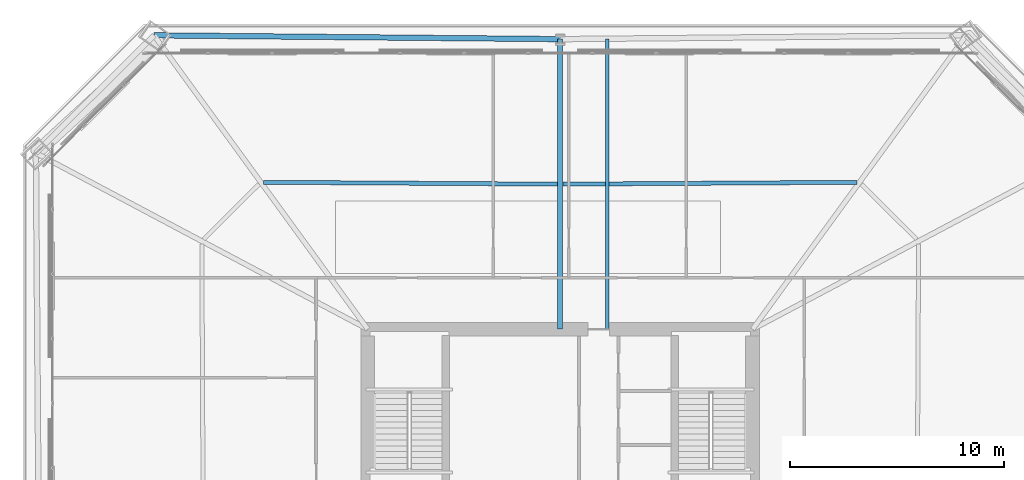
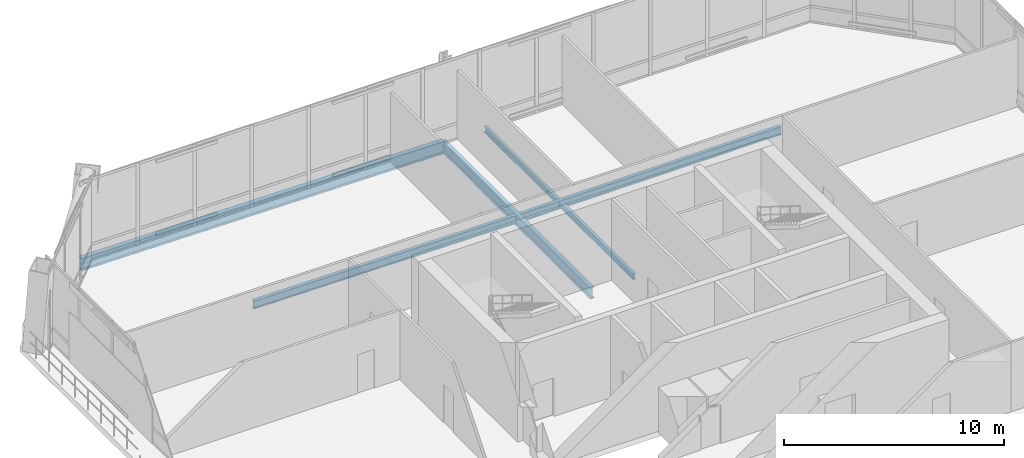
# One storey, part 34 of 48: 5 beams.
"""IFC4 building model written with IfcOpenShell, lengths in metres."""

from ifc_helpers import new_model, si_unit, direction, frame, origin, origin_2d, place, context, subcontext, project, spatial, i_section, extrude, material, material_profile, profile_set, type_object, element, save


model = new_model("IFC4")

# Units and contexts
model_context = context("Model", 3, precision=1e-05, world=origin(), true_north=direction((0.0, 1.0)))
body_context = subcontext(model_context, "Body", "Model", "MODEL_VIEW")
ifc_project = project(units=[si_unit("LENGTHUNIT", "METRE"), si_unit("AREAUNIT", "SQUARE_METRE"), si_unit("VOLUMEUNIT", "CUBIC_METRE"), si_unit("PLANEANGLEUNIT", "RADIAN"), si_unit("MASSUNIT", "GRAM", prefix="KILO")], contexts=[model_context])

# Site, building, storey
site_placement = place(None, origin())
site = spatial("IfcSite", under=ifc_project, at=site_placement, CompositionType="ELEMENT")
building_placement = place(site_placement, origin())
building = spatial("IfcBuilding", under=site, at=building_placement, Name="Caelvoria Tower", CompositionType="ELEMENT")
storey_placement = place(building_placement, frame((0.0, 0.0, 90.39990234375)))
storey = spatial("IfcBuildingStorey", under=building, at=storey_placement, Name="L23", CompositionType="ELEMENT", Elevation=90.39990234375)

# Beams
ifc_material = material(Name="Structural Steel ASTM A992 Gr.50", Category="steel")
ifc_material_profile_1 = material_profile(ifc_material, i_section(OverallWidth=0.166015625, OverallDepth=0.31298828125, WebThickness=0.006591796875, FlangeThickness=0.01123046875, FilletRadius=0.011962890625, at=origin_2d()), Name="Structural Steel ASTM A992 Gr.50")
ifc_profile_set_1 = profile_set([ifc_material_profile_1], Name="W310X44.5 - Structural Steel ASTM A992 Gr.50")
beam_type_1 = type_object("IfcBeamType", Name="Composite Floor Intermediate Joist W310X44.5", PredefinedType="JOIST", material=ifc_profile_set_1)
beam_1_placement = place(storey_placement, frame((48.199951171875, 40.0, -0.476806640625), z_axis=(0.0, 1.0, 0.0), x_axis=(-1.0, 0.0, 0.0)))
element("IfcBeam", 1, at=beam_1_placement, inside=storey, type_object=beam_type_1, Name="Intermediate Floor Joist L23 North", PredefinedType="JOIST", context=body_context, shape_type="SweptSolid", body=[
    extrude(i_section(OverallWidth=0.166015625, OverallDepth=0.31298828125, WebThickness=0.006591796875, FlangeThickness=0.01123046875, FilletRadius=0.011962890625, at=origin_2d()), origin(), (0.0, 0.0, 1.0), 13.563232421875),
])
ifc_material_profile_2 = material_profile(ifc_material, i_section(OverallWidth=0.25390625, OverallDepth=0.68798828125, WebThickness=0.01318359375, FlangeThickness=0.02099609375, FilletRadius=0.01904296875, at=origin_2d()), Name="Structural Steel ASTM A992 Gr.50")
ifc_profile_set_2 = profile_set([ifc_material_profile_2], Name="W690X152 - Structural Steel ASTM A992 Gr.50")
beam_type_2 = type_object("IfcBeamType", Name="Perimeter Spandrel Girder W690X152", PredefinedType="BEAM", material=ifc_profile_set_2)
beam_2_placement = place(storey_placement, frame((46.0, 53.563232421875, -0.663818359375), z_axis=(-0.999956097112, 0.00937037078, 0.0), x_axis=(-0.00937037078, -0.999956097112, 0.0)))
element("IfcBeam", 2, at=beam_2_placement, inside=storey, type_object=beam_type_2, Name="Perimeter Spandrel Girder L23-07", PredefinedType="BEAM", context=body_context, shape_type="SweptSolid", body=[
    extrude(i_section(OverallWidth=0.25390625, OverallDepth=0.68798828125, WebThickness=0.01318359375, FlangeThickness=0.02099609375, FilletRadius=0.01904296875, at=origin_2d()), origin(), (0.0, 0.0, 1.0), 18.99365234375),
])
ifc_material_profile_3 = material_profile(ifc_material, i_section(OverallWidth=0.22900390625, OverallDepth=0.612060546875, WebThickness=0.011962890625, FlangeThickness=0.01953125, FilletRadius=0.01806640625, at=origin_2d()), Name="Structural Steel ASTM A992 Gr.50")
ifc_profile_set_3 = profile_set([ifc_material_profile_3], Name="W610X125 - Structural Steel ASTM A992 Gr.50")
beam_type_3 = type_object("IfcBeamType", Name="Primary Radial Floor Girder W610X125", PredefinedType="BEAM", material=ifc_profile_set_3)
beam_3_placement = place(storey_placement, frame((46.0, 40.0, -0.6259765625), z_axis=(0.0, 1.0, 0.0), x_axis=(-1.0, 0.0, 0.0)))
element("IfcBeam", 3, at=beam_3_placement, inside=storey, type_object=beam_type_3, Name="Primary Floor Girder L23-07", PredefinedType="BEAM", context=body_context, shape_type="SweptSolid", body=[
    extrude(i_section(OverallWidth=0.22900390625, OverallDepth=0.612060546875, WebThickness=0.011962890625, FlangeThickness=0.01953125, FilletRadius=0.01806640625, at=origin_2d()), origin(), (0.0, 0.0, 1.0), 13.563232421875),
])
ifc_material_profile_4 = material_profile(ifc_material, i_section(OverallWidth=0.18994140625, OverallDepth=0.45703125, WebThickness=0.009033203125, FlangeThickness=0.014404296875, FilletRadius=0.014892578125, at=origin_2d()), Name="Structural Steel ASTM A992 Gr.50")
ifc_profile_set_4 = profile_set([ifc_material_profile_4], Name="W460X74 - Structural Steel ASTM A992 Gr.50")
beam_type_4 = type_object("IfcBeamType", Name="Secondary Floor Beam W460X74", PredefinedType="BEAM", material=ifc_profile_set_4)
for number, where, z_axis, x_axis, name in (
    (4, (59.87158203125, 46.869873046875, -0.54833984375), (-0.999979787802, -0.006357986077, 0.0), (0.006357986077, -0.999979787802, 0.0), "Secondary Floor Beam L23-06"),
    (5, (45.875, 46.782470703125, -0.54833984375), (-0.999979787802, 0.006357986077, 0.0), (-0.006357986077, -0.999979787802, 0.0), "Secondary Floor Beam L23-07"),
):
    element("IfcBeam", number, at=place(storey_placement, frame(where, z_axis=z_axis, x_axis=x_axis)), inside=storey, type_object=beam_type_4, Name=name, PredefinedType="BEAM", context=body_context, shape_type="SweptSolid", body=[
        extrude(i_section(OverallWidth=0.18994140625, OverallDepth=0.45703125, WebThickness=0.009033203125, FlangeThickness=0.014404296875, FilletRadius=0.014892578125, at=origin_2d()), origin(), (0.0, 0.0, 1.0), 13.746826171875),
    ])

save(model, "model.ifc")
